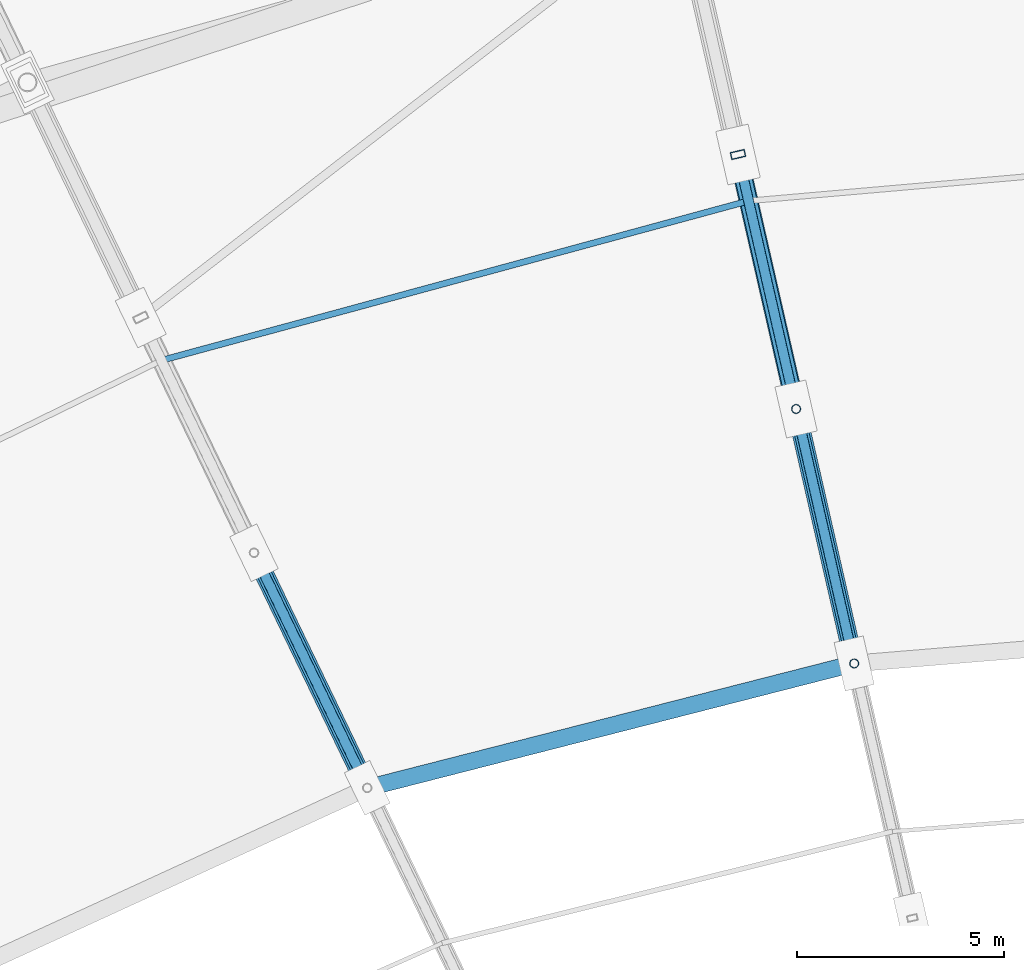
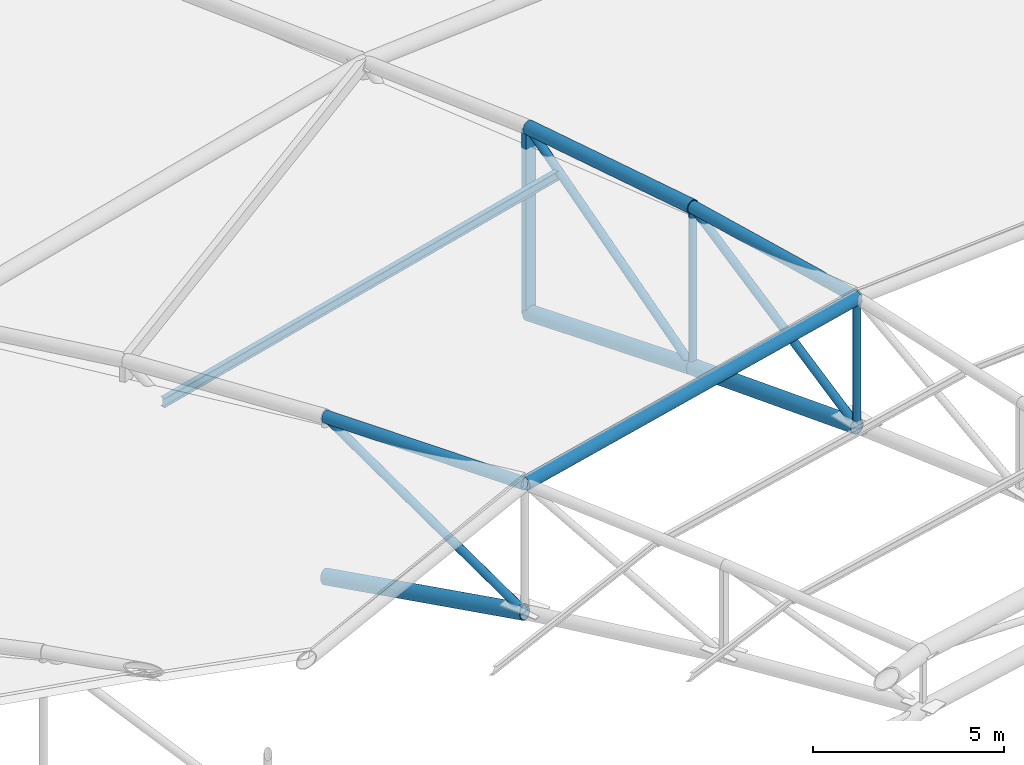
# One storey, part 49 of 108: 14 members.
"""IFC4 building model written with IfcOpenShell, lengths in metres."""

from ifc_helpers import new_model, si_unit, direction, frame, origin, origin_2d, place, context, subcontext, project, spatial, hollow_rectangle, hollow_circle, i_section, extrude, material, material_profile, profile_set, type_object, element, save


model = new_model("IFC4")

# Units and contexts
model_context = context("Model", 3, precision=1e-05, world=origin(), true_north=direction((0.0, 1.0)))
body_context = subcontext(model_context, "Body", "Model", "MODEL_VIEW")
ifc_project = project(units=[si_unit("LENGTHUNIT", "METRE"), si_unit("AREAUNIT", "SQUARE_METRE"), si_unit("VOLUMEUNIT", "CUBIC_METRE"), si_unit("PLANEANGLEUNIT", "RADIAN"), si_unit("MASSUNIT", "GRAM", prefix="KILO")], contexts=[model_context])

# Site, building, storey
site_placement = place(None, origin())
site = spatial("IfcSite", under=ifc_project, at=site_placement, CompositionType="ELEMENT")
building_placement = place(site_placement, origin())
building = spatial("IfcBuilding", under=site, at=building_placement, Name="Zevraka Park Crest Stadium", CompositionType="ELEMENT")
storey_placement = place(building_placement, frame((0.0, 0.0, 29.39990234375)))
storey = spatial("IfcBuildingStorey", under=building, at=storey_placement, Name="RF", CompositionType="ELEMENT", Elevation=29.39990234375)

# Members
ifc_material_1 = material(Name="Steel S355", Category="steel")
ifc_material_profile_1 = material_profile(ifc_material_1, i_section(OverallWidth=0.14990234375, OverallDepth=0.300048828125, WebThickness=0.007080078125, FlangeThickness=0.0107421875, at=origin_2d()), Name="IPE 300")
ifc_profile_set_1 = profile_set([ifc_material_profile_1], Name="Steel S355")
member_type_1 = type_object("IfcMemberType", Name="PR02", PredefinedType="PURLIN", material=ifc_profile_set_1)
member_1_placement = place(storey_placement, frame((97.080078125, 142.74609375, 7.47314453125), z_axis=(-0.965023073694, -0.26216496188, 0.0), x_axis=(0.26216496188, -0.965023073694, 0.0)))
element("IfcMember", 1, at=member_1_placement, inside=storey, type_object=member_type_1, Name="Canopy Roof Purlin PR02 OUTER-09-2", PredefinedType="PURLIN", context=body_context, shape_type="SweptSolid", body=[
    extrude(i_section(OverallWidth=0.14990234375, OverallDepth=0.300048828125, WebThickness=0.007080078125, FlangeThickness=0.0107421875, at=origin_2d()), origin(), (0.0, 0.0, 1.0), 14.685791015625),
])
ifc_material_2 = material(Name="Steel S355", Category="steel")
ifc_material_profile_2 = material_profile(ifc_material_2, hollow_circle(Radius=0.228515625, WallThickness=0.02490234375, at=origin_2d()), Name="CHS 457.0x25")
ifc_profile_set_2 = profile_set([ifc_material_profile_2], Name="Steel S355")
member_type_2 = type_object("IfcMemberType", Name="TC02", PredefinedType="CHORD", material=ifc_profile_set_2)
member_2_placement = place(storey_placement, frame((96.823974609375, 143.865966796875, 2.4501953125), z_axis=(0.2165081374, -0.948405922439, 0.231625630539), x_axis=(0.974918840686, 0.222560675043, 0.0)))
element("IfcMember", 2, at=member_2_placement, inside=storey, type_object=member_type_2, Name="Roof Truss Bottom Chord TC02 T09-4", PredefinedType="CHORD", context=body_context, shape_type="SweptSolid", body=[
    extrude(hollow_circle(Radius=0.228515625, WallThickness=0.02490234375, at=origin_2d()), origin(), (0.0, 0.0, 1.0), 6.47607421875),
])
member_3_placement = place(storey_placement, frame((98.22607421875, 137.72412109375, 3.9501953125), z_axis=(0.217577220744, -0.953292880439, 0.209506174416), x_axis=(0.974929167571, 0.222515433667, 0.0)))
element("IfcMember", 3, at=member_3_placement, inside=storey, type_object=member_type_2, Name="Roof Truss Bottom Chord TC02 T09-5", PredefinedType="CHORD", context=body_context, shape_type="SweptSolid", body=[
    extrude(hollow_circle(Radius=0.228515625, WallThickness=0.02490234375, at=origin_2d()), origin(), (0.0, 0.0, 1.0), 6.443115234375),
])
member_4_placement = place(storey_placement, frame((85.14306640625, 134.2548828125, 3.9501953125), z_axis=(0.424202357445, -0.880994854912, 0.20952428393), x_axis=(0.900993814881, 0.433831932372, 0.0)))
element("IfcMember", 4, at=member_4_placement, inside=storey, type_object=member_type_2, Name="Roof Truss Bottom Chord TC02 T10-5", PredefinedType="CHORD", context=body_context, shape_type="SweptSolid", body=[
    extrude(hollow_circle(Radius=0.228515625, WallThickness=0.02490234375, at=origin_2d()), origin(), (0.0, 0.0, 1.0), 6.4423828125),
])
ifc_material_3 = material(Name="Steel S355", Category="steel")
ifc_material_profile_3 = material_profile(ifc_material_3, hollow_circle(Radius=0.203125, WallThickness=0.02001953125, at=origin_2d()), Name="CHS 406.4x20")
ifc_profile_set_3 = profile_set([ifc_material_profile_3], Name="Steel S355")
member_type_3 = type_object("IfcMemberType", Name="TC03", PredefinedType="CHORD", material=ifc_profile_set_3)
member_5_placement = place(storey_placement, frame((96.823974609375, 143.865966796875, 8.35009765625), z_axis=(0.221199560267, -0.968956527537, 0.110426456432), x_axis=(0.974918840686, 0.222560675043, 0.0)))
element("IfcMember", 5, at=member_5_placement, inside=storey, type_object=member_type_3, Name="Roof Truss Top Chord TC03 T09-4", PredefinedType="CHORD", context=body_context, shape_type="SweptSolid", body=[
    extrude(hollow_circle(Radius=0.203125, WallThickness=0.02001953125, at=origin_2d()), origin(), (0.0, 0.0, 1.0), 6.338623046875),
])
member_6_placement = place(storey_placement, frame((99.6279296875, 131.58203125, 9.400146484375), z_axis=(-0.968869652629, -0.247571396197, 0.0), x_axis=(0.247571396197, -0.968869652629, 0.0)))
element("IfcMember", 6, at=member_6_placement, inside=storey, type_object=member_type_3, Name="Roof Canopy Arch Crown Ring Chord TC03 09", PredefinedType="CHORD", context=body_context, shape_type="SweptSolid", body=[
    extrude(hollow_circle(Radius=0.203125, WallThickness=0.02001953125, at=origin_2d()), origin(), (0.0, 0.0, 1.0), 12.129638671875),
])
ifc_material_4 = material(Name="Steel S355", Category="steel")
ifc_material_profile_4 = material_profile(ifc_material_4, hollow_circle(Radius=0.177734375, WallThickness=0.01611328125, at=origin_2d()), Name="CHS 355.6x16")
ifc_profile_set_4 = profile_set([ifc_material_profile_4], Name="Steel S355")
member_type_4 = type_object("IfcMemberType", Name="TC05", PredefinedType="CHORD", material=ifc_profile_set_4)
member_7_placement = place(storey_placement, frame((98.22607421875, 137.72412109375, 9.050048828125), z_axis=(0.222172651746, -0.973427302791, 0.055485124104), x_axis=(0.974929167571, 0.222515433667, 0.0)))
element("IfcMember", 7, at=member_7_placement, inside=storey, type_object=member_type_4, Name="Roof Truss Top Chord TC05 T09-5", PredefinedType="CHORD", context=body_context, shape_type="SweptSolid", body=[
    extrude(hollow_circle(Radius=0.177734375, WallThickness=0.01611328125, at=origin_2d()), origin(), (0.0, 0.0, 1.0), 6.309814453125),
])
member_8_placement = place(storey_placement, frame((85.14306640625, 134.2548828125, 9.050048828125), z_axis=(0.433163499766, -0.899605596083, 0.055490124948), x_axis=(0.900993814881, 0.433831932372, 0.0)))
element("IfcMember", 8, at=member_8_placement, inside=storey, type_object=member_type_4, Name="Roof Truss Top Chord TC05 T10-5", PredefinedType="CHORD", context=body_context, shape_type="SweptSolid", body=[
    extrude(hollow_circle(Radius=0.177734375, WallThickness=0.01611328125, at=origin_2d()), origin(), (0.0, 0.0, 1.0), 6.30908203125),
])
ifc_material_5 = material(Name="Steel S355", Category="steel")
ifc_material_profile_5 = material_profile(ifc_material_5, hollow_circle(Radius=0.109619140625, WallThickness=0.010009765625, at=origin_2d()), Name="CHS 219.1x10")
ifc_profile_set_5 = profile_set([ifc_material_profile_5], Name="Steel S355")
member_type_5 = type_object("IfcMemberType", Name="WB02", PredefinedType="BRACE", material=ifc_profile_set_5)
member_9_placement = place(storey_placement, frame((98.22607421875, 137.72412109375, 3.9501953125), z_axis=(0.0, 0.0, 1.0), x_axis=(-0.222569549971, 0.974916814618, 0.0)))
element("IfcMember", 9, at=member_9_placement, inside=storey, type_object=member_type_5, Name="Roof Truss Web Post WB02 T09-4", PredefinedType="BRACE", context=body_context, shape_type="SweptSolid", body=[
    extrude(hollow_circle(Radius=0.109619140625, WallThickness=0.010009765625, at=origin_2d()), origin(), (0.0, 0.0, 1.0), 5.099853515625),
])
member_10_placement = place(storey_placement, frame((99.6279296875, 131.58203125, 5.300048828125), z_axis=(0.0, 0.0, 1.0), x_axis=(-0.222569549971, 0.974916814618, 0.0)))
element("IfcMember", 10, at=member_10_placement, inside=storey, type_object=member_type_5, Name="Roof Truss Web Post WB02 T09-5", PredefinedType="BRACE", context=body_context, shape_type="SweptSolid", body=[
    extrude(hollow_circle(Radius=0.109619140625, WallThickness=0.010009765625, at=origin_2d()), origin(), (0.0, 0.0, 1.0), 4.10009765625),
])
ifc_material_6 = material(Name="Steel S355", Category="steel")
ifc_material_profile_6 = material_profile(ifc_material_6, hollow_circle(Radius=0.122314453125, WallThickness=0.012451171875, at=origin_2d()), Name="CHS 244.5x12.5")
ifc_profile_set_6 = profile_set([ifc_material_profile_6], Name="Steel S355")
member_type_6 = type_object("IfcMemberType", Name="WB07", PredefinedType="BRACE", material=ifc_profile_set_6)
member_11_placement = place(storey_placement, frame((98.22607421875, 137.72412109375, 3.9501953125), z_axis=(-0.182464706824, 0.799279928534, 0.572589055612), x_axis=(-0.974918840686, -0.222560675043, 0.0)))
element("IfcMember", 11, at=member_11_placement, inside=storey, type_object=member_type_6, Name="Roof Truss Web Diagonal WB07 T09-4", PredefinedType="BRACE", context=body_context, shape_type="SweptSolid", body=[
    extrude(hollow_circle(Radius=0.122314453125, WallThickness=0.012451171875, at=origin_2d()), origin(), (0.0, 0.0, 1.0), 7.684326171875),
])
member_12_placement = place(storey_placement, frame((99.6279296875, 131.58203125, 5.300048828125), z_axis=(-0.19120622273, 0.837750984228, 0.51148164074), x_axis=(-0.974929167571, -0.222515433667, 0.0)))
element("IfcMember", 12, at=member_12_placement, inside=storey, type_object=member_type_6, Name="Roof Truss Web Diagonal WB07 T09-5", PredefinedType="BRACE", context=body_context, shape_type="SweptSolid", body=[
    extrude(hollow_circle(Radius=0.122314453125, WallThickness=0.012451171875, at=origin_2d()), origin(), (0.0, 0.0, 1.0), 7.33154296875),
])
member_13_placement = place(storey_placement, frame((87.8759765625, 128.5791015625, 5.300048828125), z_axis=(-0.372780448281, 0.774200452173, 0.511515783955), x_axis=(-0.900993814881, -0.433831932372, 0.0)))
element("IfcMember", 13, at=member_13_placement, inside=storey, type_object=member_type_6, Name="Roof Truss Web Diagonal WB07 T10-5", PredefinedType="BRACE", context=body_context, shape_type="SweptSolid", body=[
    extrude(hollow_circle(Radius=0.122314453125, WallThickness=0.012451171875, at=origin_2d()), origin(), (0.0, 0.0, 1.0), 7.3310546875),
])
ifc_material_7 = material(Name="Steel S355", Category="steel")
ifc_material_profile_7 = material_profile(ifc_material_7, hollow_rectangle(XDim=0.175048828125, YDim=0.35009765625, WallThickness=0.012451171875, at=origin_2d()), Name="RHS 350x175x12.5")
ifc_profile_set_7 = profile_set([ifc_material_profile_7], Name="Steel S355")
member_type_7 = type_object("IfcMemberType", Name="WB09", PredefinedType="BRACE", material=ifc_profile_set_7)
member_14_placement = place(storey_placement, frame((96.823974609375, 143.865966796875, 2.4501953125), z_axis=(0.0, 0.0, 1.0), x_axis=(-0.222569549971, 0.974916814618, 0.0)))
element("IfcMember", 14, at=member_14_placement, inside=storey, type_object=member_type_7, Name="Roof Truss Web Post WB09 T09-3", PredefinedType="BRACE", context=body_context, shape_type="SweptSolid", body=[
    extrude(hollow_rectangle(XDim=0.175048828125, YDim=0.35009765625, WallThickness=0.012451171875, at=origin_2d()), origin(), (0.0, 0.0, 1.0), 5.89990234375),
])

save(model, "model.ifc")
